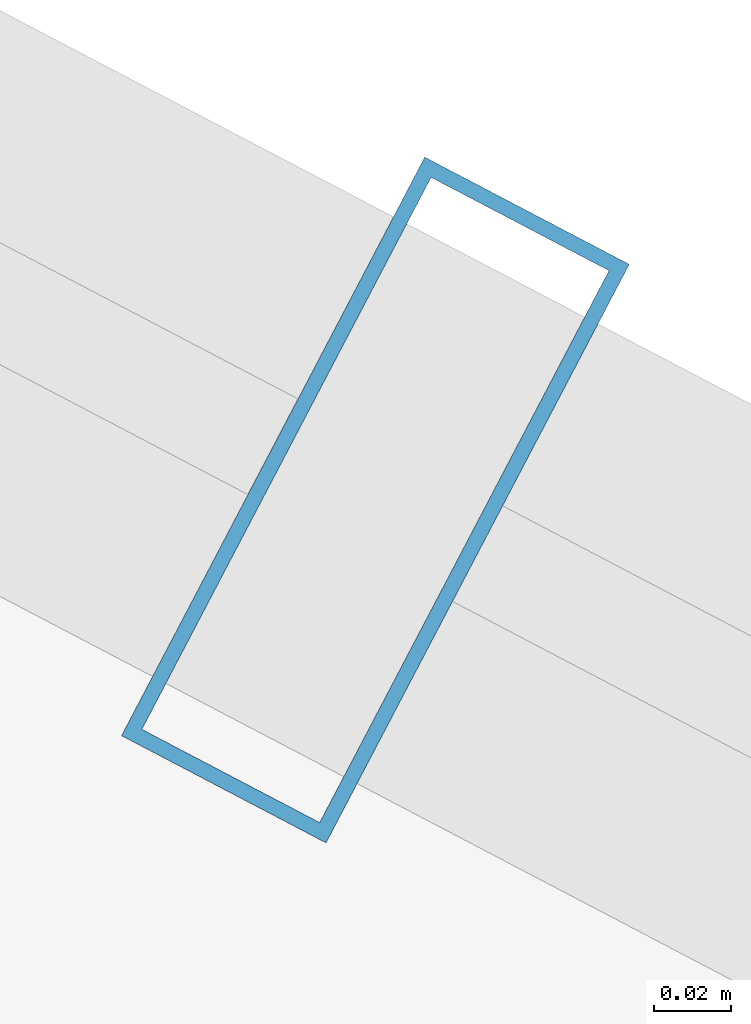
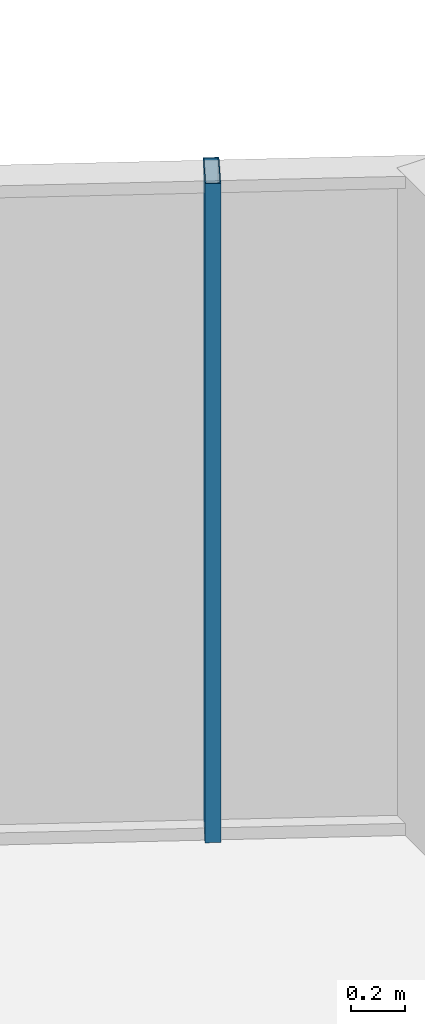
# One storey, part 22 of 32: 1 member, 1 element without a shape of its own.
"""IFC4 building model written with IfcOpenShell, lengths in metres."""

from ifc_helpers import new_model, si_unit, direction, frame, origin, origin_2d, place, context, subcontext, project, spatial, hollow_rectangle, extrude, source, transform, mapped, material, layer, layer_set, material_profile, profile_set, type_object, element, aggregate, save


model = new_model("IFC4")

# Units and contexts
model_context = context("Model", 3, precision=1e-05, world=origin(), true_north=direction((0.0, 1.0)))
body_context = subcontext(model_context, "Body", "Model", "MODEL_VIEW")
ifc_project = project(units=[si_unit("LENGTHUNIT", "METRE"), si_unit("AREAUNIT", "SQUARE_METRE"), si_unit("VOLUMEUNIT", "CUBIC_METRE"), si_unit("PLANEANGLEUNIT", "RADIAN"), si_unit("MASSUNIT", "GRAM", prefix="KILO")], contexts=[model_context])

# Site, building, storey
site_placement = place(None, origin())
site = spatial("IfcSite", under=ifc_project, at=site_placement, CompositionType="ELEMENT")
building_placement = place(site_placement, origin())
building = spatial("IfcBuilding", under=site, at=building_placement, Name="Veraguas Prism Commons", CompositionType="ELEMENT")
storey_placement = place(building_placement, frame((0.0, 0.0, 136.0)))
storey = spatial("IfcBuildingStorey", under=building, at=storey_placement, Name="L38", CompositionType="ELEMENT", Elevation=136.0)

# Curtain wall, member
ifc_material = material(Name="Anodised aluminium EN AW-6063 T6", Category="aluminium")
ifc_layer = layer(ifc_material, 0.169921875, Name="Unitised Flush Curtain Wall Zone 2", Category="aluminium")
ifc_layer_set = layer_set([ifc_layer], Name="Anodised aluminium EN AW-6063 T6")
curtain_wall_type = type_object("IfcCurtainWallType", Name="Unitised Flush Curtain Wall Zone 2", PredefinedType="NOTDEFINED", material=ifc_layer_set)
curtain_wall_placement = place(storey_placement, origin())
curtain_wall = element("IfcCurtainWall", 1, at=curtain_wall_placement, inside=storey, type_object=curtain_wall_type, Name="Tower Facade Curtain Wall L38-F1", PredefinedType="NOTDEFINED")
ifc_material_profile = material_profile(ifc_material, hollow_rectangle(XDim=0.06005859375, YDim=0.169921875, WallThickness=0.00390625, at=origin_2d()), Name="AL60X170X4")
ifc_profile_set = profile_set([ifc_material_profile], Name="Anodised aluminium EN AW-6063 T6")
member_type = type_object("IfcMemberType", Name="Curtain Wall Mullion Lower AL 60x170x4", PredefinedType="MULLION", material=ifc_profile_set)
shared_shape = source(origin(), body_context, "Body", "SweptSolid", [
    extrude(hollow_rectangle(XDim=0.06005859375, YDim=0.169921875, WallThickness=0.00390625, at=origin_2d()), origin(), (0.0, 0.0, 1.0), 3.0),
])
member_placement = place(storey_placement, frame((32.905029296875, 40.990234375, 0.0), z_axis=(0.0, 0.0, 1.0), x_axis=(-0.885721982014, 0.464216081773, 0.0)))
member = element("IfcMember", 2, at=member_placement, type_object=member_type, Name="CW-Z2 Mullion 3", PredefinedType="MULLION", context=body_context, shape_type="MappedRepresentation", body=[
    mapped(shared_shape, transform((0.0, 0.0, 0.0), scale=1.0)),
])
aggregate(curtain_wall, [member])

save(model, "model.ifc")
